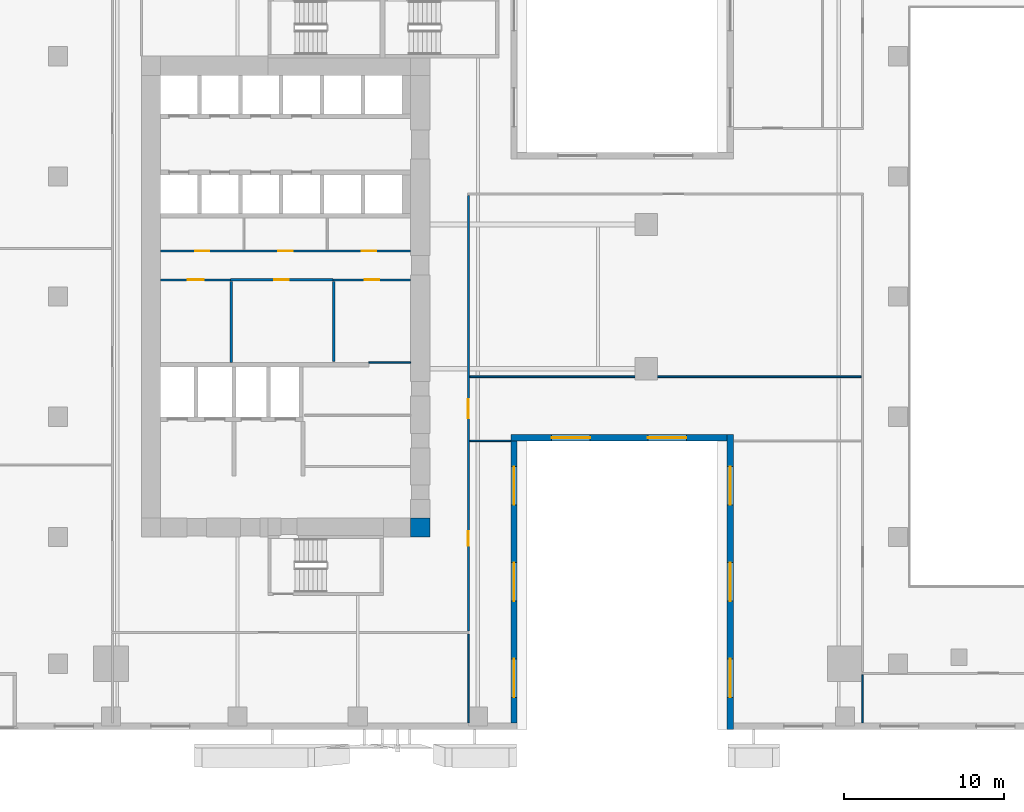
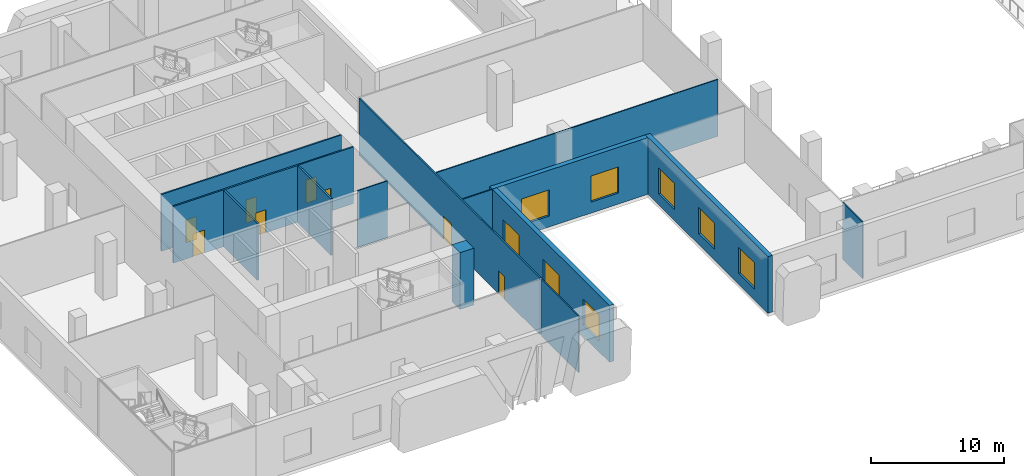
# One storey, part 11 of 23: 16 walls, 8 doors, 8 windows, 16 openings.
"""IFC4 building model written with IfcOpenShell, lengths in metres."""

from ifc_helpers import new_model, si_unit, direction, frame, frame_2d, origin, place, context, subcontext, project, spatial, rectangle, extrude, source, transform, mapped, material, layer, layer_set, type_object, element, fill, save


model = new_model("IFC4")

# Units and contexts
model_context = context("Model", 3, precision=1e-05, world=origin(), true_north=direction((0.0, 1.0)))
body_context = subcontext(model_context, "Body", "Model", "MODEL_VIEW")
ifc_project = project(units=[si_unit("LENGTHUNIT", "METRE"), si_unit("AREAUNIT", "SQUARE_METRE"), si_unit("VOLUMEUNIT", "CUBIC_METRE"), si_unit("PLANEANGLEUNIT", "RADIAN"), si_unit("MASSUNIT", "GRAM", prefix="KILO")], contexts=[model_context])

# Site, building, storey
site_placement = place(None, origin())
site = spatial("IfcSite", under=ifc_project, at=site_placement, CompositionType="ELEMENT")
building_placement = place(site_placement, origin())
building = spatial("IfcBuilding", under=site, at=building_placement, Name="Khomas Fold Tower", CompositionType="ELEMENT")
storey_placement = place(building_placement, frame((0.0, 0.0, 7.5)))
storey = spatial("IfcBuildingStorey", under=building, at=storey_placement, Name="L01", CompositionType="ELEMENT", Elevation=7.5)

# Wall
ifc_material_1 = material(Name="Concrete C70/85", Category="concrete")
ifc_layer_1 = layer(ifc_material_1, 1.199951171875)
ifc_layer_set_1 = layer_set([ifc_layer_1], Name="Concrete C70/85")
wall_type_1 = type_object("IfcWallType", Name="Core corner wall 1200", PredefinedType="SHEAR", material=ifc_layer_set_1)
shared_shape_1 = source(origin(), body_context, "Body", "SweptSolid", [
    extrude(rectangle(XDim=1.199951171875, YDim=1.199951171875, at=frame_2d((0.60009765625, 0.0))), origin(), (0.0, 0.0, 1.0), 5.199951171875),
])
wall_1_placement = place(storey_placement, frame((22.800048828125, 12.60009765625, 0.0), z_axis=(0.0, 0.0, 1.0), x_axis=(1.0, 0.0, 0.0)))
element("IfcWall", 1, at=wall_1_placement, inside=storey, type_object=wall_type_1, Name="Core wall CW-L-SE-B2", PredefinedType="SHEAR", context=body_context, shape_type="MappedRepresentation", body=[
    mapped(shared_shape_1, transform((0.0, 0.0, 0.0))),
])

# Wall, openings, windows
ifc_material_2 = material(Name="Concrete C40/50", Category="concrete")
ifc_layer_2 = layer(ifc_material_2, 0.39990234375)
ifc_layer_set_2 = layer_set([ifc_layer_2], Name="Concrete C40/50")
wall_type_2 = type_object("IfcWallType", Name="Stone-clad concrete wall 400", PredefinedType="SOLIDWALL", material=ifc_layer_set_2)
shared_shape_2 = source(origin(), body_context, "Body", "SweptSolid", [
    extrude(rectangle(XDim=17.60009765625, YDim=0.39990234375, at=frame_2d((8.800048828125, 0.0))), origin(), (0.0, 0.0, 1.0), 5.199951171875),
])
wall_2_placement = place(storey_placement, frame((29.25, 0.39990234375, 0.0), z_axis=(0.0, 0.0, 1.0), x_axis=(0.0, 1.0, 0.0)))
wall_2 = element("IfcWall", 2, at=wall_2_placement, inside=storey, type_object=wall_type_2, Name="Podium wall", PredefinedType="SOLIDWALL", context=body_context, shape_type="MappedRepresentation", body=[
    mapped(shared_shape_2, transform((0.0, 0.0, 0.0))),
])
shared_shape_3 = source(origin(), body_context, "Body", "SweptSolid", [
    extrude(rectangle(XDim=2.39990234375, YDim=2.39990234375, at=frame_2d((1.199951171875, 1.199951171875))), frame((0.0, 0.2099609375, 0.0), z_axis=(0.0, -1.0, 0.0), x_axis=(1.0, 0.0, 0.0)), (0.0, 0.0, 1.0), 0.419921875),
])
opening_1_placement = place(wall_2_placement, frame((1.60009765625, 0.0, 1.0)))
opening_1 = element("IfcOpeningElement", 3, at=opening_1_placement, cuts=wall_2, Name="Opening PD-WN", PredefinedType="OPENING", context=body_context, shape_type="MappedRepresentation", body=[
    mapped(shared_shape_3, transform((0.0, 0.0, 0.0))),
])
opening_2_placement = place(wall_2_placement, frame((7.60009765625, 0.0, 1.0)))
opening_2 = element("IfcOpeningElement", 4, at=opening_2_placement, cuts=wall_2, Name="Opening PD-WN", PredefinedType="OPENING", context=body_context, shape_type="MappedRepresentation", body=[
    mapped(shared_shape_3, transform((0.0, 0.0, 0.0))),
])
opening_3_placement = place(wall_2_placement, frame((13.60009765625, 0.0, 1.0)))
opening_3 = element("IfcOpeningElement", 5, at=opening_3_placement, cuts=wall_2, Name="Opening PD-WN", PredefinedType="OPENING", context=body_context, shape_type="MappedRepresentation", body=[
    mapped(shared_shape_3, transform((0.0, 0.0, 0.0))),
])
ifc_material_3 = material(Name="Aluminium framed double glazing", Category="aluminium")
window_type = type_object("IfcWindowType", Name="Podium window 2400 x 2400", PartitioningType="SINGLE_PANEL", PredefinedType="WINDOW", material=ifc_material_3)
shared_shape_4 = source(origin(), body_context, "Body", "SweptSolid", [
    extrude(rectangle(XDim=2.39990234375, YDim=2.39990234375, at=frame_2d((1.199951171875, 1.199951171875))), frame((0.0, 0.030029296875, 0.0), z_axis=(0.0, -1.0, 0.0), x_axis=(1.0, 0.0, 0.0)), (0.0, 0.0, 1.0), 0.06005859375),
])
window_1_placement = place(opening_1_placement, origin())
window_1 = element("IfcWindow", 6, at=window_1_placement, inside=storey, type_object=window_type, Name="Podium window", OverallHeight=2.39990234375, OverallWidth=2.39990234375, PartitioningType="SINGLE_PANEL", PredefinedType="WINDOW", context=body_context, shape_type="MappedRepresentation", body=[
    mapped(shared_shape_4, transform((0.0, 0.0, 0.0))),
])
fill(opening_1, window_1)
window_2_placement = place(opening_2_placement, origin())
window_2 = element("IfcWindow", 7, at=window_2_placement, inside=storey, type_object=window_type, Name="Podium window", OverallHeight=2.39990234375, OverallWidth=2.39990234375, PartitioningType="SINGLE_PANEL", PredefinedType="WINDOW", context=body_context, shape_type="MappedRepresentation", body=[
    mapped(shared_shape_4, transform((0.0, 0.0, 0.0))),
])
fill(opening_2, window_2)
window_3_placement = place(opening_3_placement, origin())
window_3 = element("IfcWindow", 8, at=window_3_placement, inside=storey, type_object=window_type, Name="Podium window", OverallHeight=2.39990234375, OverallWidth=2.39990234375, PartitioningType="SINGLE_PANEL", PredefinedType="WINDOW", context=body_context, shape_type="MappedRepresentation", body=[
    mapped(shared_shape_4, transform((0.0, 0.0, 0.0))),
])
fill(opening_3, window_3)

shared_shape_5 = source(origin(), body_context, "Body", "SweptSolid", [
    extrude(rectangle(XDim=13.5, YDim=0.39990234375, at=frame_2d((6.75, 0.0))), origin(), (0.0, 0.0, 1.0), 5.199951171875),
])
wall_3_placement = place(storey_placement, frame((29.050048828125, 18.199951171875, 0.0), z_axis=(0.0, 0.0, 1.0), x_axis=(1.0, 0.0, 0.0)))
wall_3 = element("IfcWall", 9, at=wall_3_placement, inside=storey, type_object=wall_type_2, Name="Podium wall", PredefinedType="SOLIDWALL", context=body_context, shape_type="MappedRepresentation", body=[
    mapped(shared_shape_5, transform((0.0, 0.0, 0.0))),
])
opening_4_placement = place(wall_3_placement, frame((2.550048828125, 0.0, 1.0)))
opening_4 = element("IfcOpeningElement", 10, at=opening_4_placement, cuts=wall_3, Name="Opening PD-WN", PredefinedType="OPENING", context=body_context, shape_type="MappedRepresentation", body=[
    mapped(shared_shape_3, transform((0.0, 0.0, 0.0))),
])
opening_5_placement = place(wall_3_placement, frame((8.550048828125, 0.0, 1.0)))
opening_5 = element("IfcOpeningElement", 11, at=opening_5_placement, cuts=wall_3, Name="Opening PD-WN", PredefinedType="OPENING", context=body_context, shape_type="MappedRepresentation", body=[
    mapped(shared_shape_3, transform((0.0, 0.0, 0.0))),
])
window_4_placement = place(opening_4_placement, origin())
window_4 = element("IfcWindow", 12, at=window_4_placement, inside=storey, type_object=window_type, Name="Podium window", OverallHeight=2.39990234375, OverallWidth=2.39990234375, PartitioningType="SINGLE_PANEL", PredefinedType="WINDOW", context=body_context, shape_type="MappedRepresentation", body=[
    mapped(shared_shape_4, transform((0.0, 0.0, 0.0))),
])
fill(opening_4, window_4)
window_5_placement = place(opening_5_placement, origin())
window_5 = element("IfcWindow", 13, at=window_5_placement, inside=storey, type_object=window_type, Name="Podium window", OverallHeight=2.39990234375, OverallWidth=2.39990234375, PartitioningType="SINGLE_PANEL", PredefinedType="WINDOW", context=body_context, shape_type="MappedRepresentation", body=[
    mapped(shared_shape_4, transform((0.0, 0.0, 0.0))),
])
fill(opening_5, window_5)

shared_shape_6 = source(origin(), body_context, "Body", "SweptSolid", [
    extrude(rectangle(XDim=18.39990234375, YDim=0.39990234375, at=frame_2d((9.199951171875, 0.0))), origin(), (0.0, 0.0, 1.0), 5.199951171875),
])
wall_4_placement = place(storey_placement, frame((42.75, 18.39990234375, 0.0), z_axis=(0.0, 0.0, 1.0), x_axis=(0.0, -1.0, 0.0)))
wall_4 = element("IfcWall", 14, at=wall_4_placement, inside=storey, type_object=wall_type_2, Name="Podium wall", PredefinedType="SOLIDWALL", context=body_context, shape_type="MappedRepresentation", body=[
    mapped(shared_shape_6, transform((0.0, 0.0, 0.0))),
])
opening_6_placement = place(wall_4_placement, frame((2.0, 0.0, 1.0)))
opening_6 = element("IfcOpeningElement", 15, at=opening_6_placement, cuts=wall_4, Name="Opening PD-WN", PredefinedType="OPENING", context=body_context, shape_type="MappedRepresentation", body=[
    mapped(shared_shape_3, transform((0.0, 0.0, 0.0))),
])
opening_7_placement = place(wall_4_placement, frame((8.0, 0.0, 1.0)))
opening_7 = element("IfcOpeningElement", 16, at=opening_7_placement, cuts=wall_4, Name="Opening PD-WN", PredefinedType="OPENING", context=body_context, shape_type="MappedRepresentation", body=[
    mapped(shared_shape_3, transform((0.0, 0.0, 0.0))),
])
opening_8_placement = place(wall_4_placement, frame((14.0, 0.0, 1.0)))
opening_8 = element("IfcOpeningElement", 17, at=opening_8_placement, cuts=wall_4, Name="Opening PD-WN", PredefinedType="OPENING", context=body_context, shape_type="MappedRepresentation", body=[
    mapped(shared_shape_3, transform((0.0, 0.0, 0.0))),
])
window_6_placement = place(opening_6_placement, origin())
window_6 = element("IfcWindow", 18, at=window_6_placement, inside=storey, type_object=window_type, Name="Podium window", OverallHeight=2.39990234375, OverallWidth=2.39990234375, PartitioningType="SINGLE_PANEL", PredefinedType="WINDOW", context=body_context, shape_type="MappedRepresentation", body=[
    mapped(shared_shape_4, transform((0.0, 0.0, 0.0))),
])
fill(opening_6, window_6)
window_7_placement = place(opening_7_placement, origin())
window_7 = element("IfcWindow", 19, at=window_7_placement, inside=storey, type_object=window_type, Name="Podium window", OverallHeight=2.39990234375, OverallWidth=2.39990234375, PartitioningType="SINGLE_PANEL", PredefinedType="WINDOW", context=body_context, shape_type="MappedRepresentation", body=[
    mapped(shared_shape_4, transform((0.0, 0.0, 0.0))),
])
fill(opening_7, window_7)
window_8_placement = place(opening_8_placement, origin())
window_8 = element("IfcWindow", 20, at=window_8_placement, inside=storey, type_object=window_type, Name="Podium window", OverallHeight=2.39990234375, OverallWidth=2.39990234375, PartitioningType="SINGLE_PANEL", PredefinedType="WINDOW", context=body_context, shape_type="MappedRepresentation", body=[
    mapped(shared_shape_4, transform((0.0, 0.0, 0.0))),
])
fill(opening_8, window_8)

# Walls
ifc_material_4 = material(Name="Plasterboard partition")
ifc_layer_3 = layer(ifc_material_4, 0.10009765625)
ifc_layer_set_3 = layer_set([ifc_layer_3], Name="Plasterboard partition")
wall_type_3 = type_object("IfcWallType", Name="Partition PW1 100", PredefinedType="PARTITIONING", material=ifc_layer_set_3)
shared_shape_7 = source(origin(), body_context, "Body", "SweptSolid", [
    extrude(rectangle(XDim=5.550048828125, YDim=0.10009765625, at=frame_2d((2.77490234375, 0.0))), origin(), (0.0, 0.0, 1.0), 5.199951171875),
])
wall_5_placement = place(storey_placement, frame((26.39990234375, 0.39990234375, 0.0), z_axis=(0.0, 0.0, 1.0), x_axis=(0.0, 1.0, 0.0)))
element("IfcWall", 21, at=wall_5_placement, inside=storey, type_object=wall_type_3, Name="Partition", PredefinedType="PARTITIONING", context=body_context, shape_type="MappedRepresentation", body=[
    mapped(shared_shape_7, transform((0.0, 0.0, 0.0))),
])
shared_shape_8 = source(origin(), body_context, "Body", "SweptSolid", [
    extrude(rectangle(XDim=3.0, YDim=0.10009765625, at=frame_2d((1.5, 0.0))), origin(), (0.0, 0.0, 1.0), 5.199951171875),
])
wall_6_placement = place(storey_placement, frame((51.0, 0.39990234375, 0.0), z_axis=(0.0, 0.0, 1.0), x_axis=(0.0, 1.0, 0.0)))
element("IfcWall", 22, at=wall_6_placement, inside=storey, type_object=wall_type_3, Name="Partition", PredefinedType="PARTITIONING", context=body_context, shape_type="MappedRepresentation", body=[
    mapped(shared_shape_8, transform((0.0, 0.0, 0.0))),
])

# Wall, openings, doors
ifc_material_5 = material(Name="Plasterboard partition")
ifc_layer_4 = layer(ifc_material_5, 0.125)
ifc_layer_set_4 = layer_set([ifc_layer_4], Name="Plasterboard partition")
wall_type_4 = type_object("IfcWallType", Name="Partition PW2 125", PredefinedType="PARTITIONING", material=ifc_layer_set_4)
shared_shape_9 = source(origin(), body_context, "Body", "SweptSolid", [
    extrude(rectangle(XDim=27.150146484375, YDim=0.125, at=frame_2d((13.5751953125, 0.0))), origin(), (0.0, 0.0, 1.0), 5.199951171875),
])
wall_7_placement = place(storey_placement, frame((26.39990234375, 6.14990234375, 0.0), z_axis=(0.0, 0.0, 1.0), x_axis=(0.0, 1.0, 0.0)))
wall_7 = element("IfcWall", 23, at=wall_7_placement, inside=storey, type_object=wall_type_4, Name="Partition", PredefinedType="PARTITIONING", context=body_context, shape_type="MappedRepresentation", body=[
    mapped(shared_shape_9, transform((0.0, 0.0, 0.0))),
])
shared_shape_10 = source(origin(), body_context, "Body", "SweptSolid", [
    extrude(rectangle(XDim=0.89990234375, YDim=2.10009765625, at=frame_2d((0.449951171875, 1.050048828125))), frame((0.0, 0.072509765625, 0.0), z_axis=(0.0, -1.0, 0.0), x_axis=(1.0, 0.0, 0.0)), (0.0, 0.0, 1.0), 0.14501953125),
])
opening_9_placement = place(wall_7_placement, frame((5.300048828125, 0.0, 0.0)))
opening_9 = element("IfcOpeningElement", 24, at=opening_9_placement, cuts=wall_7, Name="Opening 0007", PredefinedType="OPENING", context=body_context, shape_type="MappedRepresentation", body=[
    mapped(shared_shape_10, transform((0.0, 0.0, 0.0))),
])
shared_shape_11 = source(origin(), body_context, "Body", "SweptSolid", [
    extrude(rectangle(XDim=1.199951171875, YDim=2.10009765625, at=frame_2d((0.60009765625, 1.050048828125))), frame((0.0, 0.072509765625, 0.0), z_axis=(0.0, -1.0, 0.0), x_axis=(1.0, 0.0, 0.0)), (0.0, 0.0, 1.0), 0.14501953125),
])
opening_10_placement = place(wall_7_placement, frame((13.25, 0.0, 0.0)))
opening_10 = element("IfcOpeningElement", 25, at=opening_10_placement, cuts=wall_7, Name="Opening 0013", PredefinedType="OPENING", context=body_context, shape_type="MappedRepresentation", body=[
    mapped(shared_shape_11, transform((0.0, 0.0, 0.0))),
])
ifc_material_6 = material(Name="Timber door leaf", Category="wood")
door_type_1 = type_object("IfcDoorType", Name="Door 900x2100 left-hand", OperationType="SINGLE_SWING_LEFT", PredefinedType="DOOR", material=ifc_material_6)
shared_shape_12 = source(origin(), body_context, "Body", "SweptSolid", [
    extrude(rectangle(XDim=0.89990234375, YDim=2.10009765625, at=frame_2d((0.449951171875, 1.050048828125))), frame((0.0, 0.02490234375, 0.0), z_axis=(0.0, -1.0, 0.0), x_axis=(1.0, 0.0, 0.0)), (0.0, 0.0, 1.0), 0.050048828125),
])
door_1_placement = place(opening_9_placement, origin())
door_1 = element("IfcDoor", 26, at=door_1_placement, inside=storey, type_object=door_type_1, Name="Door", OperationType="SINGLE_SWING_LEFT", OverallHeight=2.10009765625, OverallWidth=0.89990234375, PredefinedType="DOOR", context=body_context, shape_type="MappedRepresentation", body=[
    mapped(shared_shape_12, transform((0.0, 0.0, 0.0))),
])
fill(opening_9, door_1)
ifc_material_7 = material(Name="Timber door leaf", Category="wood")
door_type_2 = type_object("IfcDoorType", Name="Door 1200x2100 left-hand", OperationType="SINGLE_SWING_LEFT", PredefinedType="DOOR", material=ifc_material_7)
shared_shape_13 = source(origin(), body_context, "Body", "SweptSolid", [
    extrude(rectangle(XDim=1.199951171875, YDim=2.10009765625, at=frame_2d((0.60009765625, 1.050048828125))), frame((0.0, 0.02490234375, 0.0), z_axis=(0.0, -1.0, 0.0), x_axis=(1.0, 0.0, 0.0)), (0.0, 0.0, 1.0), 0.050048828125),
])
door_2_placement = place(opening_10_placement, origin())
door_2 = element("IfcDoor", 27, at=door_2_placement, inside=storey, type_object=door_type_2, Name="Door", OperationType="SINGLE_SWING_LEFT", OverallHeight=2.10009765625, OverallWidth=1.199951171875, PredefinedType="DOOR", context=body_context, shape_type="MappedRepresentation", body=[
    mapped(shared_shape_13, transform((0.0, 0.0, 0.0))),
])
fill(opening_10, door_2)

# Walls
shared_shape_14 = source(origin(), body_context, "Body", "SweptSolid", [
    extrude(rectangle(XDim=2.550048828125, YDim=0.10009765625, at=frame_2d((1.27490234375, 0.0))), origin(), (0.0, 0.0, 1.0), 5.199951171875),
])
wall_8_placement = place(storey_placement, frame((26.5, 18.0, 0.0), z_axis=(0.0, 0.0, 1.0), x_axis=(1.0, 0.0, 0.0)))
element("IfcWall", 28, at=wall_8_placement, inside=storey, type_object=wall_type_3, Name="Partition", PredefinedType="PARTITIONING", context=body_context, shape_type="MappedRepresentation", body=[
    mapped(shared_shape_14, transform((0.0, 0.0, 0.0))),
])
shared_shape_15 = source(origin(), body_context, "Body", "SweptSolid", [
    extrude(rectangle(XDim=24.39990234375, YDim=0.10009765625, at=frame_2d((12.199951171875, 0.0))), origin(), (0.0, 0.0, 1.0), 5.199951171875),
])
wall_9_placement = place(storey_placement, frame((26.5, 22.0, 0.0), z_axis=(0.0, 0.0, 1.0), x_axis=(1.0, 0.0, 0.0)))
element("IfcWall", 29, at=wall_9_placement, inside=storey, type_object=wall_type_3, Name="Partition", PredefinedType="PARTITIONING", context=body_context, shape_type="MappedRepresentation", body=[
    mapped(shared_shape_15, transform((0.0, 0.0, 0.0))),
])
ifc_material_8 = material(Name="Plasterboard fire partition")
ifc_layer_5 = layer(ifc_material_8, 0.14990234375)
ifc_layer_set_5 = layer_set([ifc_layer_5], Name="Plasterboard fire partition")
wall_type_5 = type_object("IfcWallType", Name="Plant room wall PW3 150", PredefinedType="PARTITIONING", material=ifc_layer_set_5)
shared_shape_16 = source(origin(), body_context, "Body", "SweptSolid", [
    extrude(rectangle(XDim=5.050048828125, YDim=0.14990234375, at=frame_2d((2.52490234375, 0.0))), origin(), (0.0, 0.0, 1.0), 5.199951171875),
])
wall_10_placement = place(storey_placement, frame((11.60009765625, 22.89990234375, 0.0), z_axis=(0.0, 0.0, 1.0), x_axis=(0.0, 1.0, 0.0)))
element("IfcWall", 30, at=wall_10_placement, inside=storey, type_object=wall_type_5, Name="Plant room wall", PredefinedType="PARTITIONING", context=body_context, shape_type="MappedRepresentation", body=[
    mapped(shared_shape_16, transform((0.0, 0.0, 0.0))),
])
shared_shape_17 = source(origin(), body_context, "Body", "SweptSolid", [
    extrude(rectangle(XDim=2.60009765625, YDim=0.10009765625, at=frame_2d((1.300048828125, 0.0))), origin(), (0.0, 0.0, 1.0), 5.199951171875),
])
wall_11_placement = place(storey_placement, frame((20.199951171875, 22.89990234375, 0.0), z_axis=(0.0, 0.0, 1.0), x_axis=(1.0, 0.0, 0.0)))
element("IfcWall", 31, at=wall_11_placement, inside=storey, type_object=wall_type_3, Name="Partition", PredefinedType="PARTITIONING", context=body_context, shape_type="MappedRepresentation", body=[
    mapped(shared_shape_17, transform((0.0, 0.0, 0.0))),
])
shared_shape_18 = source(origin(), body_context, "Body", "SweptSolid", [
    extrude(rectangle(XDim=5.0, YDim=0.14990234375, at=frame_2d((2.5, 0.0))), origin(), (0.0, 0.0, 1.0), 5.199951171875),
])
wall_12_placement = place(storey_placement, frame((18.0, 22.949951171875, 0.0), z_axis=(0.0, 0.0, 1.0), x_axis=(0.0, 1.0, 0.0)))
element("IfcWall", 32, at=wall_12_placement, inside=storey, type_object=wall_type_5, Name="Plant room wall", PredefinedType="PARTITIONING", context=body_context, shape_type="MappedRepresentation", body=[
    mapped(shared_shape_18, transform((0.0, 0.0, 0.0))),
])

# Wall, opening, door
shared_shape_19 = source(origin(), body_context, "Body", "SweptSolid", [
    extrude(rectangle(XDim=4.35009765625, YDim=0.125, at=frame_2d((2.175048828125, 0.0))), origin(), (0.0, 0.0, 1.0), 5.199951171875),
])
wall_13_placement = place(storey_placement, frame((7.199951171875, 28.050048828125, 0.0), z_axis=(0.0, 0.0, 1.0), x_axis=(1.0, 0.0, 0.0)))
wall_13 = element("IfcWall", 33, at=wall_13_placement, inside=storey, type_object=wall_type_4, Name="Partition", PredefinedType="PARTITIONING", context=body_context, shape_type="MappedRepresentation", body=[
    mapped(shared_shape_19, transform((0.0, 0.0, 0.0))),
])
shared_shape_20 = source(origin(), body_context, "Body", "SweptSolid", [
    extrude(rectangle(XDim=1.0, YDim=2.10009765625, at=frame_2d((0.5, 1.050048828125))), frame((0.0, 0.072509765625, 0.0), z_axis=(0.0, -1.0, 0.0), x_axis=(1.0, 0.0, 0.0)), (0.0, 0.0, 1.0), 0.14501953125),
])
opening_11_placement = place(wall_13_placement, frame((1.699951171875, 0.0, 0.0)))
opening_11 = element("IfcOpeningElement", 34, at=opening_11_placement, cuts=wall_13, Name="Opening 0006", PredefinedType="OPENING", context=body_context, shape_type="MappedRepresentation", body=[
    mapped(shared_shape_20, transform((0.0, 0.0, 0.0))),
])
ifc_material_9 = material(Name="Timber door leaf", Category="wood")
door_type_3 = type_object("IfcDoorType", Name="WC door 1000x2100 right-hand", OperationType="SINGLE_SWING_RIGHT", PredefinedType="DOOR", material=ifc_material_9)
shared_shape_21 = source(origin(), body_context, "Body", "SweptSolid", [
    extrude(rectangle(XDim=1.0, YDim=2.10009765625, at=frame_2d((0.5, 1.050048828125))), frame((0.0, 0.02490234375, 0.0), z_axis=(0.0, -1.0, 0.0), x_axis=(1.0, 0.0, 0.0)), (0.0, 0.0, 1.0), 0.050048828125),
])
door_3_placement = place(opening_11_placement, origin())
door_3 = element("IfcDoor", 35, at=door_3_placement, inside=storey, type_object=door_type_3, Name="WC door", OperationType="SINGLE_SWING_RIGHT", OverallHeight=2.10009765625, OverallWidth=1.0, PredefinedType="DOOR", context=body_context, shape_type="MappedRepresentation", body=[
    mapped(shared_shape_21, transform((0.0, 0.0, 0.0))),
])
fill(opening_11, door_3)

shared_shape_22 = source(origin(), body_context, "Body", "SweptSolid", [
    extrude(rectangle(XDim=6.39990234375, YDim=0.14990234375, at=frame_2d((3.199951171875, 0.0))), origin(), (0.0, 0.0, 1.0), 5.199951171875),
])
wall_14_placement = place(storey_placement, frame((11.550048828125, 28.050048828125, 0.0), z_axis=(0.0, 0.0, 1.0), x_axis=(1.0, 0.0, 0.0)))
wall_14 = element("IfcWall", 36, at=wall_14_placement, inside=storey, type_object=wall_type_5, Name="Plant room wall", PredefinedType="PARTITIONING", context=body_context, shape_type="MappedRepresentation", body=[
    mapped(shared_shape_22, transform((0.0, 0.0, 0.0))),
])
shared_shape_23 = source(origin(), body_context, "Body", "SweptSolid", [
    extrude(rectangle(XDim=0.89990234375, YDim=2.10009765625, at=frame_2d((0.449951171875, 1.050048828125))), frame((0.0, 0.0849609375, 0.0), z_axis=(0.0, -1.0, 0.0), x_axis=(1.0, 0.0, 0.0)), (0.0, 0.0, 1.0), 0.169921875),
])
opening_12_placement = place(wall_14_placement, frame((2.75, 0.0, 0.0)))
opening_12 = element("IfcOpeningElement", 37, at=opening_12_placement, cuts=wall_14, Name="Opening 0002", PredefinedType="OPENING", context=body_context, shape_type="MappedRepresentation", body=[
    mapped(shared_shape_23, transform((0.0, 0.0, 0.0))),
])
ifc_material_10 = material(Name="Steel door leaf", Category="steel")
door_type_4 = type_object("IfcDoorType", Name="Plant room door 900x2100 left-hand", OperationType="SINGLE_SWING_LEFT", PredefinedType="DOOR", material=ifc_material_10)
door_4_placement = place(opening_12_placement, origin())
door_4 = element("IfcDoor", 38, at=door_4_placement, inside=storey, type_object=door_type_4, Name="Plant room door", OperationType="SINGLE_SWING_LEFT", OverallHeight=2.10009765625, OverallWidth=0.89990234375, PredefinedType="DOOR", context=body_context, shape_type="MappedRepresentation", body=[
    mapped(shared_shape_12, transform((0.0, 0.0, 0.0))),
])
fill(opening_12, door_4)

shared_shape_24 = source(origin(), body_context, "Body", "SweptSolid", [
    extrude(rectangle(XDim=4.85009765625, YDim=0.125, at=frame_2d((2.425048828125, 0.0))), origin(), (0.0, 0.0, 1.0), 5.199951171875),
])
wall_15_placement = place(storey_placement, frame((17.949951171875, 28.050048828125, 0.0), z_axis=(0.0, 0.0, 1.0), x_axis=(1.0, 0.0, 0.0)))
wall_15 = element("IfcWall", 39, at=wall_15_placement, inside=storey, type_object=wall_type_4, Name="Partition", PredefinedType="PARTITIONING", context=body_context, shape_type="MappedRepresentation", body=[
    mapped(shared_shape_24, transform((0.0, 0.0, 0.0))),
])
opening_13_placement = place(wall_15_placement, frame((2.0, 0.0, 0.0)))
opening_13 = element("IfcOpeningElement", 40, at=opening_13_placement, cuts=wall_15, Name="Opening 0008", PredefinedType="OPENING", context=body_context, shape_type="MappedRepresentation", body=[
    mapped(shared_shape_10, transform((0.0, 0.0, 0.0))),
])
ifc_material_11 = material(Name="Timber door leaf", Category="wood")
door_type_5 = type_object("IfcDoorType", Name="Door 900x2100 right-hand", OperationType="SINGLE_SWING_RIGHT", PredefinedType="DOOR", material=ifc_material_11)
door_5_placement = place(opening_13_placement, origin())
door_5 = element("IfcDoor", 41, at=door_5_placement, inside=storey, type_object=door_type_5, Name="Door", OperationType="SINGLE_SWING_RIGHT", OverallHeight=2.10009765625, OverallWidth=0.89990234375, PredefinedType="DOOR", context=body_context, shape_type="MappedRepresentation", body=[
    mapped(shared_shape_12, transform((0.0, 0.0, 0.0))),
])
fill(opening_13, door_5)

# Wall, openings, doors
shared_shape_25 = source(origin(), body_context, "Body", "SweptSolid", [
    extrude(rectangle(XDim=15.60009765625, YDim=0.125, at=frame_2d((7.800048828125, 0.0))), origin(), (0.0, 0.0, 1.0), 5.199951171875),
])
wall_16_placement = place(storey_placement, frame((7.199951171875, 29.85009765625, 0.0), z_axis=(0.0, 0.0, 1.0), x_axis=(1.0, 0.0, 0.0)))
wall_16 = element("IfcWall", 42, at=wall_16_placement, inside=storey, type_object=wall_type_4, Name="Partition", PredefinedType="PARTITIONING", context=body_context, shape_type="MappedRepresentation", body=[
    mapped(shared_shape_25, transform((0.0, 0.0, 0.0))),
])
opening_14_placement = place(wall_16_placement, frame((2.14990234375, 0.0, 0.0)))
opening_14 = element("IfcOpeningElement", 43, at=opening_14_placement, cuts=wall_16, Name="Opening 0004", PredefinedType="OPENING", context=body_context, shape_type="MappedRepresentation", body=[
    mapped(shared_shape_10, transform((0.0, 0.0, 0.0))),
])
opening_15_placement = place(wall_16_placement, frame((7.35009765625, 0.0, 0.0)))
opening_15 = element("IfcOpeningElement", 44, at=opening_15_placement, cuts=wall_16, Name="Opening 0005", PredefinedType="OPENING", context=body_context, shape_type="MappedRepresentation", body=[
    mapped(shared_shape_10, transform((0.0, 0.0, 0.0))),
])
opening_16_placement = place(wall_16_placement, frame((12.550048828125, 0.0, 0.0)))
opening_16 = element("IfcOpeningElement", 45, at=opening_16_placement, cuts=wall_16, Name="Opening 0008", PredefinedType="OPENING", context=body_context, shape_type="MappedRepresentation", body=[
    mapped(shared_shape_10, transform((0.0, 0.0, 0.0))),
])
ifc_material_12 = material(Name="Timber door leaf", Category="wood")
door_type_6 = type_object("IfcDoorType", Name="WC door 900x2100 right-hand", OperationType="SINGLE_SWING_RIGHT", PredefinedType="DOOR", material=ifc_material_12)
door_6_placement = place(opening_14_placement, origin())
door_6 = element("IfcDoor", 46, at=door_6_placement, inside=storey, type_object=door_type_6, Name="WC door", OperationType="SINGLE_SWING_RIGHT", OverallHeight=2.10009765625, OverallWidth=0.89990234375, PredefinedType="DOOR", context=body_context, shape_type="MappedRepresentation", body=[
    mapped(shared_shape_12, transform((0.0, 0.0, 0.0))),
])
fill(opening_14, door_6)
ifc_material_13 = material(Name="Timber door leaf", Category="wood")
door_type_7 = type_object("IfcDoorType", Name="WC door 900x2100 left-hand", OperationType="SINGLE_SWING_LEFT", PredefinedType="DOOR", material=ifc_material_13)
door_7_placement = place(opening_15_placement, origin())
door_7 = element("IfcDoor", 47, at=door_7_placement, inside=storey, type_object=door_type_7, Name="WC door", OperationType="SINGLE_SWING_LEFT", OverallHeight=2.10009765625, OverallWidth=0.89990234375, PredefinedType="DOOR", context=body_context, shape_type="MappedRepresentation", body=[
    mapped(shared_shape_12, transform((0.0, 0.0, 0.0))),
])
fill(opening_15, door_7)
door_8_placement = place(opening_16_placement, origin())
door_8 = element("IfcDoor", 48, at=door_8_placement, inside=storey, type_object=door_type_5, Name="Door", OperationType="SINGLE_SWING_RIGHT", OverallHeight=2.10009765625, OverallWidth=0.89990234375, PredefinedType="DOOR", context=body_context, shape_type="MappedRepresentation", body=[
    mapped(shared_shape_12, transform((0.0, 0.0, 0.0))),
])
fill(opening_16, door_8)

save(model, "model.ifc")
